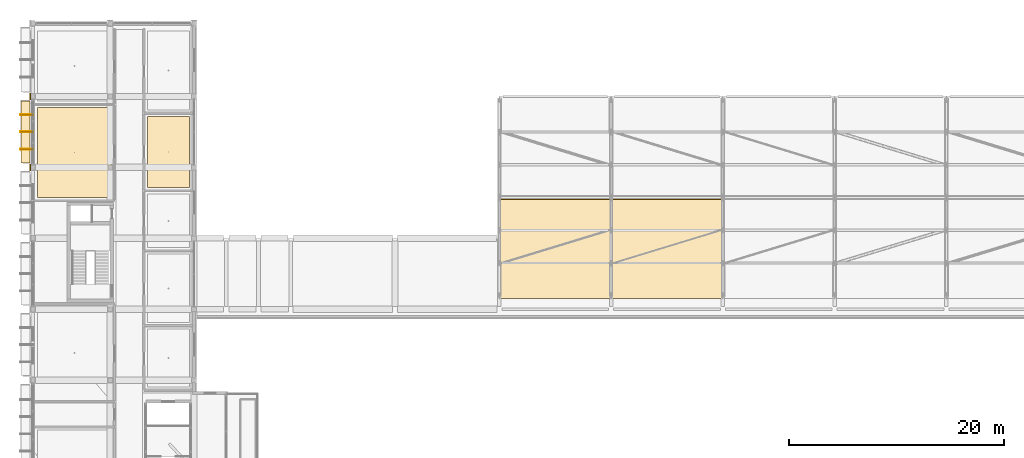
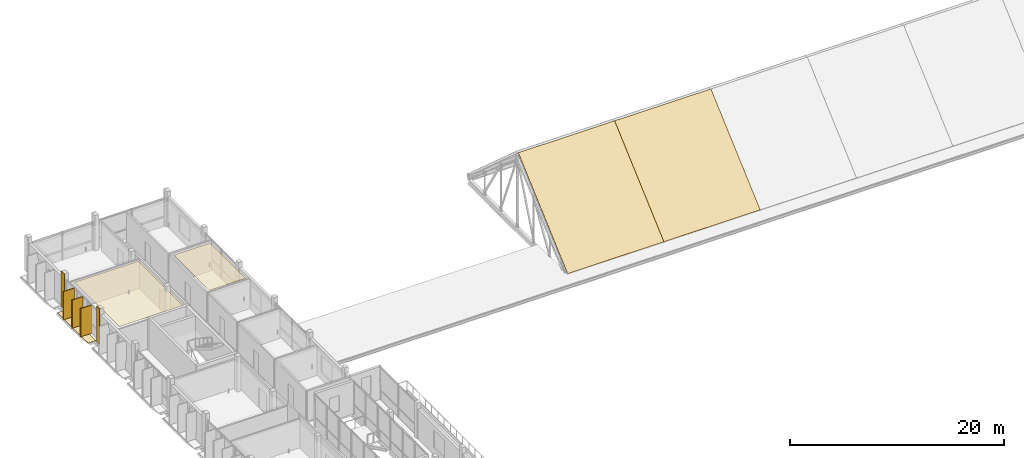
# One storey, part 80 of 86: 10 coverings, 3 shading devices.
"""IFC4 building model written with IfcOpenShell, lengths in metres."""

from ifc_helpers import new_model, si_unit, derived_unit, direction, frame, origin, origin_2d, place, context, subcontext, project, spatial, polyline, rectangle, outline, extrude, material, layer, layer_set, type_object, element, save


model = new_model("IFC4")

# Units and contexts
model_context = context("Model", 3, precision=1e-05, world=origin(), true_north=direction((0.0, 1.0)))
body_context = subcontext(model_context, "Body", "Model", "MODEL_VIEW")
ifc_project = project(units=[si_unit("LENGTHUNIT", "METRE"), si_unit("AREAUNIT", "SQUARE_METRE"), si_unit("VOLUMEUNIT", "CUBIC_METRE"), si_unit("PLANEANGLEUNIT", "RADIAN"), si_unit("MASSUNIT", "GRAM", prefix="KILO"), derived_unit("THERMALTRANSMITTANCEUNIT", [(si_unit("POWERUNIT", "WATT"), 1), (si_unit("LENGTHUNIT", "METRE"), -2), (si_unit("THERMODYNAMICTEMPERATUREUNIT", "KELVIN"), -1)])], contexts=[model_context])

# Site, building, storey
site_placement = place(None, origin())
site = spatial("IfcSite", under=ifc_project, at=site_placement, CompositionType="ELEMENT")
building_placement = place(site_placement, origin())
building = spatial("IfcBuilding", under=site, at=building_placement, Name="Braskholm Square Health Centre", CompositionType="ELEMENT")
storey_placement = place(building_placement, frame((0.0, 0.0, 13.5)))
storey = spatial("IfcBuildingStorey", under=building, at=storey_placement, Name="L04", CompositionType="ELEMENT", Elevation=13.5)

# Coverings
ifc_material_1 = material(Name="Fire-rated gypsum board barrier")
ifc_layer_1 = layer(ifc_material_1, 0.02490234375)
ifc_layer_set_1 = layer_set([ifc_layer_1], Name="Fire-rated gypsum board barrier")
covering_type_1 = type_object("IfcCoveringType", Name="AcousticClinicalCeilingTile", PredefinedType="CEILING", material=ifc_layer_set_1)
covering_1_placement = place(storey_placement, frame((0.0, 0.0, 3.31494140625)))
element("IfcCovering", 1, at=covering_1_placement, inside=storey, type_object=covering_type_1, Name="Acoustic ceiling L04-107", PredefinedType="CEILING", context=body_context, shape_type="SweptSolid", body=[
    extrude(outline(polyline([(4.6201171875, 97.60009765625), (11.5, 97.60009765625), (11.5, 105.9599609375), (4.6201171875, 105.9599609375), (4.6201171875, 97.60009765625)])), origin(), (0.0, 0.0, 1.0), 0.025146484375),
])
covering_2_placement = place(storey_placement, frame((0.0, 0.0, 3.31494140625)))
element("IfcCovering", 2, at=covering_2_placement, inside=storey, type_object=covering_type_1, Name="Acoustic ceiling L04-118", PredefinedType="CEILING", context=body_context, shape_type="SweptSolid", body=[
    extrude(outline(polyline([(14.85009765625, 98.530029296875), (18.780029296875, 98.530029296875), (18.780029296875, 105.14990234375), (14.85009765625, 105.14990234375), (14.85009765625, 98.530029296875)])), origin(), (0.0, 0.0, 1.0), 0.025146484375),
])

# Shading devices
ifc_material_2 = material(Name="Thermally modified western red cedar with bronze trim", Category="wood")
shading_device_type = type_object("IfcShadingDeviceType", Name="CedarBronzeShadingFin1250", PredefinedType="USERDEFINED", material=ifc_material_2)
for number, where, z_axis, x_axis, name in (
    (3, (3.635009765625, 102.10009765625, 0.0), (0.0, 0.0, 1.0), (1.0, 0.0, 0.0), "Warm cedar-bronze vertical shading slat 0148"),
    (4, (3.635009765625, 103.699951171875, 0.0), (0.0, 0.0, 1.0), (1.0, 0.0, 0.0), "Warm cedar-bronze vertical shading slat 0149"),
    (5, (3.635009765625, 105.300048828125, 0.0), (0.0, 0.0, 1.0), (1.0, 0.0, 0.0), "Warm cedar-bronze vertical shading slat 0150"),
):
    element("IfcShadingDevice", number, at=place(storey_placement, frame(where, z_axis=z_axis, x_axis=x_axis)), inside=storey, type_object=shading_device_type, Name=name, ObjectType="FIN", PredefinedType="USERDEFINED", context=body_context, shape_type="SweptSolid", body=[
        extrude(rectangle(XDim=1.25, YDim=0.0849609375, at=origin_2d()), origin(), (0.0, 0.0, 1.0), 3.25),
    ])

# Coverings
ifc_layer_2 = layer(ifc_material_2, 0.0849609375)
ifc_layer_set_2 = layer_set([ifc_layer_2], Name="Thermally modified western red cedar with bronze trim")
covering_type_2 = type_object("IfcCoveringType", Name="CedarBronzeSlatCladding", PredefinedType="CLADDING", material=ifc_layer_set_2)
for number, where, z_axis, x_axis, name in (
    (6, (3.6298828125, 102.10009765625, 0.0), (0.0, 0.0, 1.0), (1.0, 0.0, 0.0), "Cedar-bronze shading slat trim 0589"),
    (7, (3.6298828125, 103.699951171875, 0.0), (0.0, 0.0, 1.0), (1.0, 0.0, 0.0), "Cedar-bronze shading slat trim 0590"),
    (8, (3.6298828125, 105.300048828125, 0.0), (0.0, 0.0, 1.0), (1.0, 0.0, 0.0), "Cedar-bronze shading slat trim 0591"),
):
    element("IfcCovering", number, at=place(storey_placement, frame(where, z_axis=z_axis, x_axis=x_axis)), inside=storey, type_object=covering_type_2, Name=name, PredefinedType="CLADDING", context=body_context, shape_type="SweptSolid", body=[
        extrude(rectangle(XDim=1.179931640625, YDim=0.094970703125, at=origin_2d()), origin(), (0.0, 0.0, 1.0), 3.25),
    ])
ifc_material_3 = material(Name="Intensive botanical sedum and native prairie garden bed")
ifc_layer_3 = layer(ifc_material_3, 0.02490234375)
ifc_layer_set_3 = layer_set([ifc_layer_3], Name="Intensive botanical sedum and native prairie garden bed")
covering_type_3 = type_object("IfcCoveringType", Name="PlantedTerraceGardenBed", PredefinedType="ROOFING", material=ifc_layer_set_3)
covering_3_placement = place(storey_placement, origin())
element("IfcCovering", 9, at=covering_3_placement, inside=storey, type_object=covering_type_3, Name="West floor planter ledge sedum strip 0592", PredefinedType="ROOFING", context=body_context, shape_type="SweptSolid", body=[
    extrude(outline(polyline([(3.1201171875, 100.820068359375), (3.949951171875, 100.820068359375), (3.949951171875, 106.580078125), (3.1201171875, 106.580078125), (3.1201171875, 100.820068359375)])), origin(), (0.0, 0.0, 1.0), 0.02490234375),
])
ifc_material_4 = material(Name="Precast concrete C40/50 architectural white", Category="concrete")
ifc_layer_4 = layer(ifc_material_4, 0.054931640625)
ifc_layer_set_4 = layer_set([ifc_layer_4], Name="Precast concrete C40/50 architectural white")
covering_type_4 = type_object("IfcCoveringType", Name="PrecastWhiteColumnCasing", PredefinedType="CLADDING", material=ifc_layer_set_4)
for number, where, z_axis, x_axis, name in (
    (10, (3.965087890625, 100.39990234375, 0.0), (0.0, 0.0, 1.0), (1.0, 0.0, 0.0), "Giant-order white precast column casing 0130"),
    (11, (3.965087890625, 107.0, 0.0), (0.0, 0.0, 1.0), (1.0, 0.0, 0.0), "Giant-order white precast column casing 0139"),
):
    element("IfcCovering", number, at=place(storey_placement, frame(where, z_axis=z_axis, x_axis=x_axis)), inside=storey, type_object=covering_type_4, Name=name, PredefinedType="CLADDING", context=body_context, shape_type="SweptSolid", body=[
        extrude(rectangle(XDim=0.06005859375, YDim=0.60009765625, at=origin_2d()), origin(), (0.0, 0.0, 1.0), 4.050048828125),
    ])
ifc_material_5 = material(Name="Patinated standing-seam architectural copper")
ifc_layer_5 = layer(ifc_material_5, 0.0400390625)
ifc_layer_set_5 = layer_set([ifc_layer_5], Name="Patinated standing-seam architectural copper")
covering_type_5 = type_object("IfcCoveringType", Name="StandingSeamCopperRoofing", PredefinedType="ROOFING", material=ifc_layer_set_5)
for number, where, z_axis, x_axis, name in (
    (12, (47.60009765625, 88.199951171875, 0.0400390625), (0.0, -0.665468453999, 0.746425975386), (1.0, 0.0, 0.0), "Standing-seam copper roof Bay 1 South"),
    (13, (58.0, 88.199951171875, 0.0400390625), (0.0, -0.665468453999, 0.746425975386), (1.0, 0.0, 0.0), "Standing-seam copper roof Bay 2 South"),
):
    element("IfcCovering", number, at=place(storey_placement, frame(where, z_axis=z_axis, x_axis=x_axis)), inside=storey, type_object=covering_type_5, Name=name, PredefinedType="ROOFING", context=body_context, shape_type="SweptSolid", body=[
        extrude(outline(polyline([(0.0, 0.0), (10.39990234375, 0.0), (10.39990234375, 12.352156820843742), (0.0, 12.352156820843742), (0.0, 0.0)])), origin(), (0.0, 0.0, -1.0), 0.0400390625),
    ])

save(model, "model.ifc")
